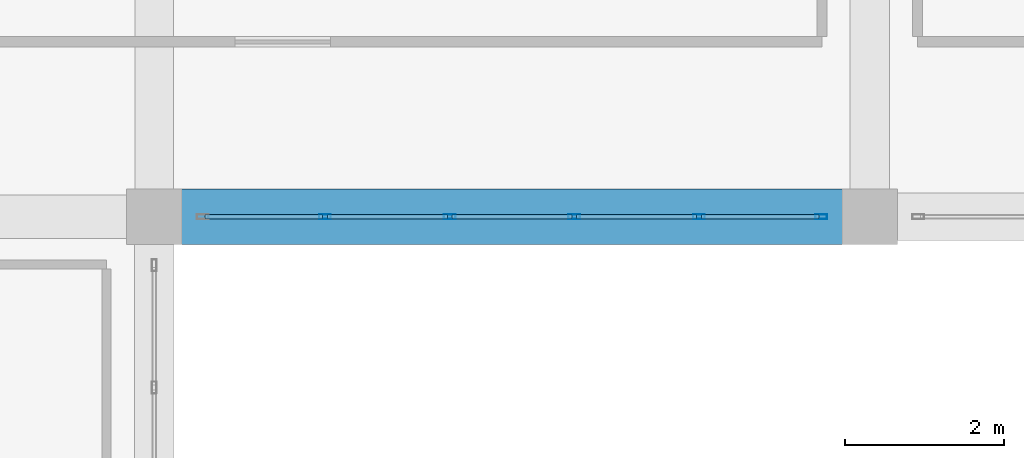
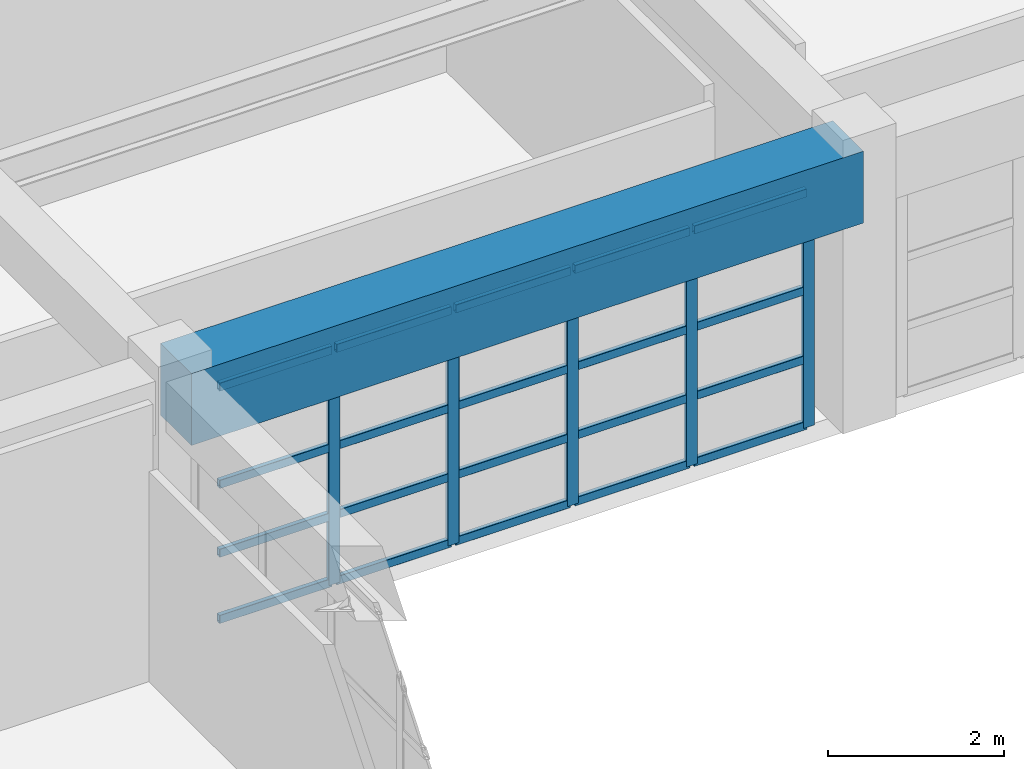
# One storey, part 61 of 130: 25 members, 1 beam, 1 element without a shape of its own.
"""IFC4 building model written with IfcOpenShell, lengths in metres."""

from ifc_helpers import new_model, si_unit, direction, frame, origin, origin_2d, place, context, subcontext, project, spatial, rectangle, hollow_rectangle, extrude, material, material_profile, profile_set, type_object, element, aggregate, save


model = new_model("IFC4")

# Units and contexts
model_context = context("Model", 3, precision=1e-05, world=origin(), true_north=direction((0.0, 1.0)))
body_context = subcontext(model_context, "Body", "Model", "MODEL_VIEW")
ifc_project = project(units=[si_unit("LENGTHUNIT", "METRE"), si_unit("AREAUNIT", "SQUARE_METRE"), si_unit("VOLUMEUNIT", "CUBIC_METRE"), si_unit("PLANEANGLEUNIT", "RADIAN"), si_unit("MASSUNIT", "GRAM", prefix="KILO")], contexts=[model_context])

# Site, building, storey
site_placement = place(None, origin())
site = spatial("IfcSite", under=ifc_project, at=site_placement, CompositionType="ELEMENT")
building_placement = place(site_placement, origin())
building = spatial("IfcBuilding", under=site, at=building_placement, Name="Miravela Opera House", CompositionType="ELEMENT")
storey_placement = place(building_placement, frame((0.0, 0.0, 9.52001953125)))
storey = spatial("IfcBuildingStorey", under=building, at=storey_placement, Name="L02", CompositionType="ELEMENT", Elevation=9.52001953125)

# Curtain wall, members
ifc_material_1 = material(Name="Anodised architectural bronze aluminium 6063-T6", Category="aluminium")
curtain_wall_type = type_object("IfcCurtainWallType", Name="ARC-CW-05", PredefinedType="NOTDEFINED", material=ifc_material_1)
curtain_wall_placement = place(storey_placement, origin())
curtain_wall = element("IfcCurtainWall", 1, at=curtain_wall_placement, inside=storey, type_object=curtain_wall_type, Name="Courtyard Arcade Curtain Wall CW-L02-090", PredefinedType="NOTDEFINED")
ifc_material_profile_1 = material_profile(ifc_material_1, hollow_rectangle(XDim=0.06005859375, YDim=0.14990234375, WallThickness=0.00390625, InnerFilletRadius=0.001953125, OuterFilletRadius=0.00390625, at=origin_2d()), Name="CWM-60X150")
ifc_profile_set_1 = profile_set([ifc_material_profile_1])
member_type_1 = type_object("IfcMemberType", Name="ARC-CWM-150", PredefinedType="MULLION", material=ifc_profile_set_1)
member_1_placement = place(storey_placement, frame((29.14794921875, 103.0, 0.0), z_axis=(0.0, 0.0, 1.0), x_axis=(0.0, 1.0, 0.0)))
member_1 = element("IfcMember", 2, at=member_1_placement, type_object=member_type_1, Name="CW-05 mullion 2", PredefinedType="MULLION", context=body_context, shape_type="SweptSolid", body=[
    extrude(hollow_rectangle(XDim=0.06005859375, YDim=0.14990234375, WallThickness=0.00390625, InnerFilletRadius=0.001953125, OuterFilletRadius=0.00390625, at=origin_2d()), origin(), (0.0, 0.0, 1.0), 3.2900390625),
])
member_2_placement = place(storey_placement, frame((30.716064453125, 103.0, 0.0), z_axis=(0.0, 0.0, 1.0), x_axis=(0.0, 1.0, 0.0)))
member_2 = element("IfcMember", 3, at=member_2_placement, type_object=member_type_1, Name="CW-05 mullion 3", PredefinedType="MULLION", context=body_context, shape_type="SweptSolid", body=[
    extrude(hollow_rectangle(XDim=0.06005859375, YDim=0.14990234375, WallThickness=0.00390625, InnerFilletRadius=0.001953125, OuterFilletRadius=0.00390625, at=origin_2d()), origin(), (0.0, 0.0, 1.0), 3.2900390625),
])
member_3_placement = place(storey_placement, frame((32.283935546875, 103.0, 0.0), z_axis=(0.0, 0.0, 1.0), x_axis=(0.0, 1.0, 0.0)))
member_3 = element("IfcMember", 4, at=member_3_placement, type_object=member_type_1, Name="CW-05 mullion 4", PredefinedType="MULLION", context=body_context, shape_type="SweptSolid", body=[
    extrude(hollow_rectangle(XDim=0.06005859375, YDim=0.14990234375, WallThickness=0.00390625, InnerFilletRadius=0.001953125, OuterFilletRadius=0.00390625, at=origin_2d()), origin(), (0.0, 0.0, 1.0), 3.2900390625),
])
member_4_placement = place(storey_placement, frame((33.85205078125, 103.0, 0.0), z_axis=(0.0, 0.0, 1.0), x_axis=(0.0, 1.0, 0.0)))
member_4 = element("IfcMember", 5, at=member_4_placement, type_object=member_type_1, Name="CW-05 mullion 5", PredefinedType="MULLION", context=body_context, shape_type="SweptSolid", body=[
    extrude(hollow_rectangle(XDim=0.06005859375, YDim=0.14990234375, WallThickness=0.00390625, InnerFilletRadius=0.001953125, OuterFilletRadius=0.00390625, at=origin_2d()), origin(), (0.0, 0.0, 1.0), 3.2900390625),
])
member_5_placement = place(storey_placement, frame((35.389892578125, 103.0, 0.0), z_axis=(0.0, 0.0, 1.0), x_axis=(0.0, 1.0, 0.0)))
member_5 = element("IfcMember", 6, at=member_5_placement, type_object=member_type_1, Name="CW-05 mullion 6", PredefinedType="MULLION", context=body_context, shape_type="SweptSolid", body=[
    extrude(hollow_rectangle(XDim=0.06005859375, YDim=0.14990234375, WallThickness=0.00390625, InnerFilletRadius=0.001953125, OuterFilletRadius=0.00390625, at=origin_2d()), origin(), (0.0, 0.0, 1.0), 3.2900390625),
])
ifc_material_profile_2 = material_profile(ifc_material_1, hollow_rectangle(XDim=0.06005859375, YDim=0.114990234375, WallThickness=0.00390625, InnerFilletRadius=0.001953125, OuterFilletRadius=0.00390625, at=origin_2d()), Name="CWT-60X115")
ifc_profile_set_2 = profile_set([ifc_material_profile_2])
member_type_2 = type_object("IfcMemberType", Name="ARC-CWT-115", PredefinedType="USERDEFINED", material=ifc_profile_set_2)
member_6_placement = place(storey_placement, frame((27.639892578125, 103.0, 0.030029296875), z_axis=(1.0, 0.0, 0.0), x_axis=(0.0, 1.0, 0.0)))
member_6 = element("IfcMember", 7, at=member_6_placement, type_object=member_type_2, Name="CW-05 transom 1.1", ObjectType="TRANSOM", PredefinedType="USERDEFINED", context=body_context, shape_type="SweptSolid", body=[
    extrude(hollow_rectangle(XDim=0.06005859375, YDim=0.114990234375, WallThickness=0.00390625, InnerFilletRadius=0.001953125, OuterFilletRadius=0.00390625, at=origin_2d()), origin(), (0.0, 0.0, 1.0), 1.47802734375),
])
member_7_placement = place(storey_placement, frame((27.639892578125, 103.0, 0.949951171875), z_axis=(1.0, 0.0, 0.0), x_axis=(0.0, 1.0, 0.0)))
member_7 = element("IfcMember", 8, at=member_7_placement, type_object=member_type_2, Name="CW-05 transom 1.2", ObjectType="TRANSOM", PredefinedType="USERDEFINED", context=body_context, shape_type="SweptSolid", body=[
    extrude(hollow_rectangle(XDim=0.06005859375, YDim=0.114990234375, WallThickness=0.00390625, InnerFilletRadius=0.001953125, OuterFilletRadius=0.00390625, at=origin_2d()), origin(), (0.0, 0.0, 1.0), 1.47802734375),
])
member_8_placement = place(storey_placement, frame((27.639892578125, 103.0, 1.908203125), z_axis=(1.0, 0.0, 0.0), x_axis=(0.0, 1.0, 0.0)))
member_8 = element("IfcMember", 9, at=member_8_placement, type_object=member_type_2, Name="CW-05 transom 1.3", ObjectType="TRANSOM", PredefinedType="USERDEFINED", context=body_context, shape_type="SweptSolid", body=[
    extrude(hollow_rectangle(XDim=0.06005859375, YDim=0.114990234375, WallThickness=0.00390625, InnerFilletRadius=0.001953125, OuterFilletRadius=0.00390625, at=origin_2d()), origin(), (0.0, 0.0, 1.0), 1.47802734375),
])
member_9_placement = place(storey_placement, frame((27.639892578125, 103.0, 3.260009765625), z_axis=(1.0, 0.0, 0.0), x_axis=(0.0, 1.0, 0.0)))
member_9 = element("IfcMember", 10, at=member_9_placement, type_object=member_type_2, Name="CW-05 transom 1.4", ObjectType="TRANSOM", PredefinedType="USERDEFINED", context=body_context, shape_type="SweptSolid", body=[
    extrude(hollow_rectangle(XDim=0.06005859375, YDim=0.114990234375, WallThickness=0.00390625, InnerFilletRadius=0.001953125, OuterFilletRadius=0.00390625, at=origin_2d()), origin(), (0.0, 0.0, 1.0), 1.47802734375),
])
member_10_placement = place(storey_placement, frame((29.177978515625, 103.0, 0.030029296875), z_axis=(1.0, 0.0, 0.0), x_axis=(0.0, 1.0, 0.0)))
member_10 = element("IfcMember", 11, at=member_10_placement, type_object=member_type_2, Name="CW-05 transom 2.1", ObjectType="TRANSOM", PredefinedType="USERDEFINED", context=body_context, shape_type="SweptSolid", body=[
    extrude(hollow_rectangle(XDim=0.06005859375, YDim=0.114990234375, WallThickness=0.00390625, InnerFilletRadius=0.001953125, OuterFilletRadius=0.00390625, at=origin_2d()), origin(), (0.0, 0.0, 1.0), 1.508056640625),
])
member_11_placement = place(storey_placement, frame((29.177978515625, 103.0, 0.949951171875), z_axis=(1.0, 0.0, 0.0), x_axis=(0.0, 1.0, 0.0)))
member_11 = element("IfcMember", 12, at=member_11_placement, type_object=member_type_2, Name="CW-05 transom 2.2", ObjectType="TRANSOM", PredefinedType="USERDEFINED", context=body_context, shape_type="SweptSolid", body=[
    extrude(hollow_rectangle(XDim=0.06005859375, YDim=0.114990234375, WallThickness=0.00390625, InnerFilletRadius=0.001953125, OuterFilletRadius=0.00390625, at=origin_2d()), origin(), (0.0, 0.0, 1.0), 1.508056640625),
])
member_12_placement = place(storey_placement, frame((29.177978515625, 103.0, 1.908203125), z_axis=(1.0, 0.0, 0.0), x_axis=(0.0, 1.0, 0.0)))
member_12 = element("IfcMember", 13, at=member_12_placement, type_object=member_type_2, Name="CW-05 transom 2.3", ObjectType="TRANSOM", PredefinedType="USERDEFINED", context=body_context, shape_type="SweptSolid", body=[
    extrude(hollow_rectangle(XDim=0.06005859375, YDim=0.114990234375, WallThickness=0.00390625, InnerFilletRadius=0.001953125, OuterFilletRadius=0.00390625, at=origin_2d()), origin(), (0.0, 0.0, 1.0), 1.508056640625),
])
member_13_placement = place(storey_placement, frame((29.177978515625, 103.0, 3.260009765625), z_axis=(1.0, 0.0, 0.0), x_axis=(0.0, 1.0, 0.0)))
member_13 = element("IfcMember", 14, at=member_13_placement, type_object=member_type_2, Name="CW-05 transom 2.4", ObjectType="TRANSOM", PredefinedType="USERDEFINED", context=body_context, shape_type="SweptSolid", body=[
    extrude(hollow_rectangle(XDim=0.06005859375, YDim=0.114990234375, WallThickness=0.00390625, InnerFilletRadius=0.001953125, OuterFilletRadius=0.00390625, at=origin_2d()), origin(), (0.0, 0.0, 1.0), 1.508056640625),
])
member_14_placement = place(storey_placement, frame((30.74609375, 103.0, 0.030029296875), z_axis=(1.0, 0.0, 0.0), x_axis=(0.0, 1.0, 0.0)))
member_14 = element("IfcMember", 15, at=member_14_placement, type_object=member_type_2, Name="CW-05 transom 3.1", ObjectType="TRANSOM", PredefinedType="USERDEFINED", context=body_context, shape_type="SweptSolid", body=[
    extrude(hollow_rectangle(XDim=0.06005859375, YDim=0.114990234375, WallThickness=0.00390625, InnerFilletRadius=0.001953125, OuterFilletRadius=0.00390625, at=origin_2d()), origin(), (0.0, 0.0, 1.0), 1.5078125),
])
member_15_placement = place(storey_placement, frame((30.74609375, 103.0, 0.949951171875), z_axis=(1.0, 0.0, 0.0), x_axis=(0.0, 1.0, 0.0)))
member_15 = element("IfcMember", 16, at=member_15_placement, type_object=member_type_2, Name="CW-05 transom 3.2", ObjectType="TRANSOM", PredefinedType="USERDEFINED", context=body_context, shape_type="SweptSolid", body=[
    extrude(hollow_rectangle(XDim=0.06005859375, YDim=0.114990234375, WallThickness=0.00390625, InnerFilletRadius=0.001953125, OuterFilletRadius=0.00390625, at=origin_2d()), origin(), (0.0, 0.0, 1.0), 1.5078125),
])
member_16_placement = place(storey_placement, frame((30.74609375, 103.0, 1.908203125), z_axis=(1.0, 0.0, 0.0), x_axis=(0.0, 1.0, 0.0)))
member_16 = element("IfcMember", 17, at=member_16_placement, type_object=member_type_2, Name="CW-05 transom 3.3", ObjectType="TRANSOM", PredefinedType="USERDEFINED", context=body_context, shape_type="SweptSolid", body=[
    extrude(hollow_rectangle(XDim=0.06005859375, YDim=0.114990234375, WallThickness=0.00390625, InnerFilletRadius=0.001953125, OuterFilletRadius=0.00390625, at=origin_2d()), origin(), (0.0, 0.0, 1.0), 1.5078125),
])
member_17_placement = place(storey_placement, frame((30.74609375, 103.0, 3.260009765625), z_axis=(1.0, 0.0, 0.0), x_axis=(0.0, 1.0, 0.0)))
member_17 = element("IfcMember", 18, at=member_17_placement, type_object=member_type_2, Name="CW-05 transom 3.4", ObjectType="TRANSOM", PredefinedType="USERDEFINED", context=body_context, shape_type="SweptSolid", body=[
    extrude(hollow_rectangle(XDim=0.06005859375, YDim=0.114990234375, WallThickness=0.00390625, InnerFilletRadius=0.001953125, OuterFilletRadius=0.00390625, at=origin_2d()), origin(), (0.0, 0.0, 1.0), 1.5078125),
])
member_18_placement = place(storey_placement, frame((32.31396484375, 103.0, 0.030029296875), z_axis=(1.0, 0.0, 0.0), x_axis=(0.0, 1.0, 0.0)))
member_18 = element("IfcMember", 19, at=member_18_placement, type_object=member_type_2, Name="CW-05 transom 4.1", ObjectType="TRANSOM", PredefinedType="USERDEFINED", context=body_context, shape_type="SweptSolid", body=[
    extrude(hollow_rectangle(XDim=0.06005859375, YDim=0.114990234375, WallThickness=0.00390625, InnerFilletRadius=0.001953125, OuterFilletRadius=0.00390625, at=origin_2d()), origin(), (0.0, 0.0, 1.0), 1.508056640625),
])
member_19_placement = place(storey_placement, frame((32.31396484375, 103.0, 0.949951171875), z_axis=(1.0, 0.0, 0.0), x_axis=(0.0, 1.0, 0.0)))
member_19 = element("IfcMember", 20, at=member_19_placement, type_object=member_type_2, Name="CW-05 transom 4.2", ObjectType="TRANSOM", PredefinedType="USERDEFINED", context=body_context, shape_type="SweptSolid", body=[
    extrude(hollow_rectangle(XDim=0.06005859375, YDim=0.114990234375, WallThickness=0.00390625, InnerFilletRadius=0.001953125, OuterFilletRadius=0.00390625, at=origin_2d()), origin(), (0.0, 0.0, 1.0), 1.508056640625),
])
member_20_placement = place(storey_placement, frame((32.31396484375, 103.0, 1.908203125), z_axis=(1.0, 0.0, 0.0), x_axis=(0.0, 1.0, 0.0)))
member_20 = element("IfcMember", 21, at=member_20_placement, type_object=member_type_2, Name="CW-05 transom 4.3", ObjectType="TRANSOM", PredefinedType="USERDEFINED", context=body_context, shape_type="SweptSolid", body=[
    extrude(hollow_rectangle(XDim=0.06005859375, YDim=0.114990234375, WallThickness=0.00390625, InnerFilletRadius=0.001953125, OuterFilletRadius=0.00390625, at=origin_2d()), origin(), (0.0, 0.0, 1.0), 1.508056640625),
])
member_21_placement = place(storey_placement, frame((32.31396484375, 103.0, 3.260009765625), z_axis=(1.0, 0.0, 0.0), x_axis=(0.0, 1.0, 0.0)))
member_21 = element("IfcMember", 22, at=member_21_placement, type_object=member_type_2, Name="CW-05 transom 4.4", ObjectType="TRANSOM", PredefinedType="USERDEFINED", context=body_context, shape_type="SweptSolid", body=[
    extrude(hollow_rectangle(XDim=0.06005859375, YDim=0.114990234375, WallThickness=0.00390625, InnerFilletRadius=0.001953125, OuterFilletRadius=0.00390625, at=origin_2d()), origin(), (0.0, 0.0, 1.0), 1.508056640625),
])
member_22_placement = place(storey_placement, frame((33.882080078125, 103.0, 0.030029296875), z_axis=(1.0, 0.0, 0.0), x_axis=(0.0, 1.0, 0.0)))
member_22 = element("IfcMember", 23, at=member_22_placement, type_object=member_type_2, Name="CW-05 transom 5.1", ObjectType="TRANSOM", PredefinedType="USERDEFINED", context=body_context, shape_type="SweptSolid", body=[
    extrude(hollow_rectangle(XDim=0.06005859375, YDim=0.114990234375, WallThickness=0.00390625, InnerFilletRadius=0.001953125, OuterFilletRadius=0.00390625, at=origin_2d()), origin(), (0.0, 0.0, 1.0), 1.47802734375),
])
member_23_placement = place(storey_placement, frame((33.882080078125, 103.0, 0.949951171875), z_axis=(1.0, 0.0, 0.0), x_axis=(0.0, 1.0, 0.0)))
member_23 = element("IfcMember", 24, at=member_23_placement, type_object=member_type_2, Name="CW-05 transom 5.2", ObjectType="TRANSOM", PredefinedType="USERDEFINED", context=body_context, shape_type="SweptSolid", body=[
    extrude(hollow_rectangle(XDim=0.06005859375, YDim=0.114990234375, WallThickness=0.00390625, InnerFilletRadius=0.001953125, OuterFilletRadius=0.00390625, at=origin_2d()), origin(), (0.0, 0.0, 1.0), 1.47802734375),
])
member_24_placement = place(storey_placement, frame((33.882080078125, 103.0, 1.908203125), z_axis=(1.0, 0.0, 0.0), x_axis=(0.0, 1.0, 0.0)))
member_24 = element("IfcMember", 25, at=member_24_placement, type_object=member_type_2, Name="CW-05 transom 5.3", ObjectType="TRANSOM", PredefinedType="USERDEFINED", context=body_context, shape_type="SweptSolid", body=[
    extrude(hollow_rectangle(XDim=0.06005859375, YDim=0.114990234375, WallThickness=0.00390625, InnerFilletRadius=0.001953125, OuterFilletRadius=0.00390625, at=origin_2d()), origin(), (0.0, 0.0, 1.0), 1.47802734375),
])
member_25_placement = place(storey_placement, frame((33.882080078125, 103.0, 3.260009765625), z_axis=(1.0, 0.0, 0.0), x_axis=(0.0, 1.0, 0.0)))
member_25 = element("IfcMember", 26, at=member_25_placement, type_object=member_type_2, Name="CW-05 transom 5.4", ObjectType="TRANSOM", PredefinedType="USERDEFINED", context=body_context, shape_type="SweptSolid", body=[
    extrude(hollow_rectangle(XDim=0.06005859375, YDim=0.114990234375, WallThickness=0.00390625, InnerFilletRadius=0.001953125, OuterFilletRadius=0.00390625, at=origin_2d()), origin(), (0.0, 0.0, 1.0), 1.47802734375),
])
aggregate(curtain_wall, [member_1, member_2, member_3, member_4, member_5, member_6, member_7, member_8, member_9, member_10, member_11, member_12, member_13, member_14, member_15, member_16, member_17, member_18, member_19, member_20, member_21, member_22, member_23, member_24, member_25])

# Beam
ifc_material_2 = material(Name="Concrete C40/50", Category="concrete")
ifc_material_profile_3 = material_profile(ifc_material_2, rectangle(XDim=0.699951171875, YDim=1.0, at=origin_2d()), Name="RC-BM-700X1000")
ifc_profile_set_3 = profile_set([ifc_material_profile_3])
beam_type = type_object("IfcBeamType", Name="STR-BM-RC700X1000", PredefinedType="BEAM", material=ifc_profile_set_3)
beam_placement = place(storey_placement, frame((27.080078125, 103.0, 3.340087890625), z_axis=(1.0, 0.0, 0.0), x_axis=(0.0, 1.0, 0.0)))
element("IfcBeam", 27, at=beam_placement, inside=storey, type_object=beam_type, Name="Floor Girder L02 4-5/L", PredefinedType="BEAM", context=body_context, shape_type="SweptSolid", body=[
    extrude(rectangle(XDim=0.699951171875, YDim=1.0, at=origin_2d()), origin(), (0.0, 0.0, 1.0), 8.83984375),
])

save(model, "model.ifc")
